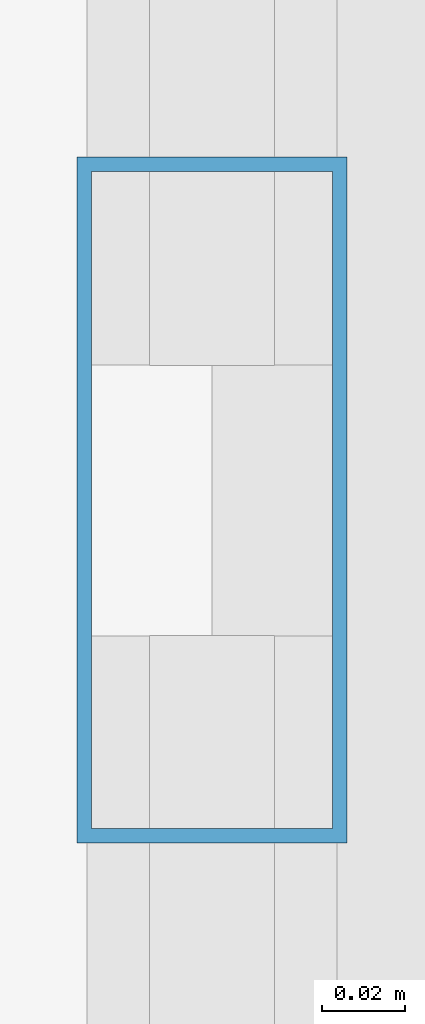
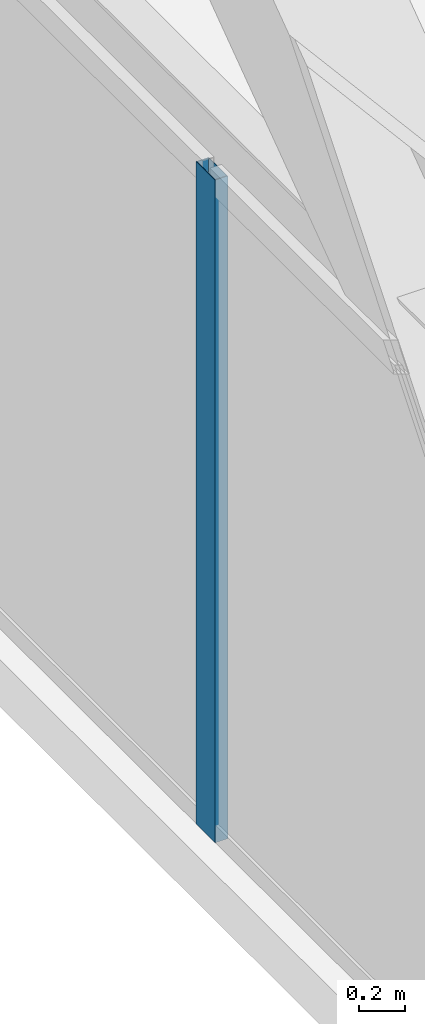
# One storey, part 9 of 33: 1 member, 1 element without a shape of its own.
"""IFC4 building model written with IfcOpenShell, lengths in metres."""

from ifc_helpers import new_model, si_unit, direction, frame, origin, origin_2d, place, context, subcontext, project, spatial, hollow_rectangle, extrude, source, transform, mapped, material, layer, layer_set, material_profile, profile_set, type_object, type_shapes, element, aggregate, save


model = new_model("IFC4")

# Units and contexts
model_context = context("Model", 3, precision=1e-05, world=origin(), true_north=direction((0.0, 1.0)))
body_context = subcontext(model_context, "Body", "Model", "MODEL_VIEW")
ifc_project = project(units=[si_unit("LENGTHUNIT", "METRE"), si_unit("AREAUNIT", "SQUARE_METRE"), si_unit("VOLUMEUNIT", "CUBIC_METRE"), si_unit("PLANEANGLEUNIT", "RADIAN"), si_unit("MASSUNIT", "GRAM", prefix="KILO")], contexts=[model_context])

# Site, building, storey
site_placement = place(None, origin())
site = spatial("IfcSite", under=ifc_project, at=site_placement, CompositionType="ELEMENT")
building_placement = place(site_placement, origin())
building = spatial("IfcBuilding", under=site, at=building_placement, Name="Varnel Quay Broadcast Tower", CompositionType="ELEMENT")
storey_placement = place(building_placement, frame((0.0, 0.0, 145.800048828125)))
storey = spatial("IfcBuildingStorey", under=building, at=storey_placement, Name="L35", CompositionType="ELEMENT", Elevation=145.800048828125)

# Curtain wall, member
ifc_material = material(Name="Anodised Bronze Aluminium 6063-T6", Category="aluminium")
ifc_layer = layer(ifc_material, 0.18994140625, Name="Anodised Bronze Aluminium 6063-T6")
ifc_layer_set = layer_set([ifc_layer], Name="Anodised Bronze Aluminium 6063-T6")
curtain_wall_type = type_object("IfcCurtainWallType", Name="CW_UpperTower", PredefinedType="NOTDEFINED", material=ifc_layer_set)
curtain_wall_placement = place(storey_placement, origin())
curtain_wall = element("IfcCurtainWall", 1, at=curtain_wall_placement, inside=storey, type_object=curtain_wall_type, Name="L35 West Unitised Curtain Wall", PredefinedType="NOTDEFINED")
ifc_material_profile = material_profile(ifc_material, hollow_rectangle(XDim=0.06494140625, YDim=0.1650390625, WallThickness=0.00341796875, at=origin_2d()), Name="ALU65X165X3.5")
ifc_profile_set = profile_set([ifc_material_profile], Name="Anodised Bronze Aluminium 6063-T6")
member_type = type_object("IfcMemberType", Name="Mull_CWS-03", PredefinedType="MULLION", material=ifc_profile_set)
shared_shape = source(origin(), body_context, "Body", "SweptSolid", [
    extrude(hollow_rectangle(XDim=0.06494140625, YDim=0.1650390625, WallThickness=0.00341796875, at=origin_2d()), origin(), (0.0, 0.0, 1.0), 3.550048828125),
])
type_shapes(member_type, [shared_shape])
member_placement = place(storey_placement, frame((7.14990234375, 21.60009765625, 0.0), z_axis=(0.0, 0.0, 1.0), x_axis=(-1.0, 0.0, 0.0)))
member = element("IfcMember", 2, at=member_placement, type_object=member_type, Name="CWS-03 mullion 2", PredefinedType="MULLION", context=body_context, shape_type="MappedRepresentation", body=[
    mapped(shared_shape, transform((0.0, 0.0, 0.0), x_axis=(1.0, 0.0, 0.0), y_axis=(0.0, 1.0, 0.0), z_axis=(0.0, 0.0, 1.0), scale=1.0)),
])
aggregate(curtain_wall, [member])

save(model, "model.ifc")
